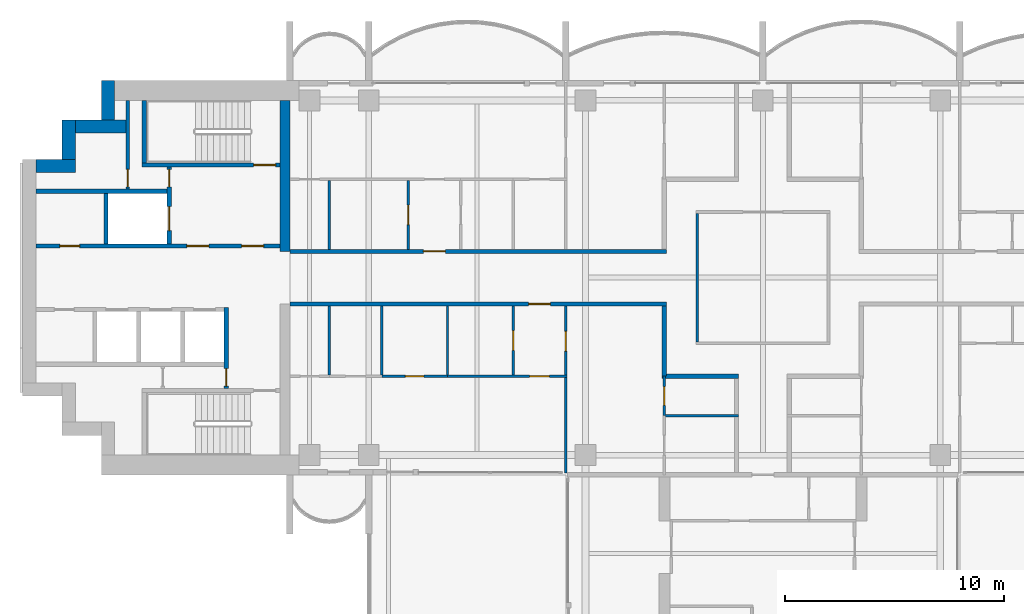
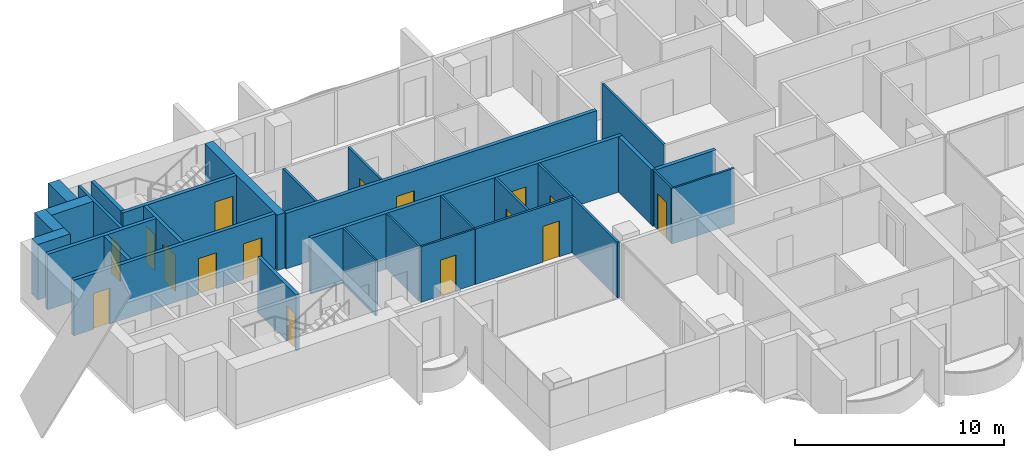
# One storey, part 9 of 17: 29 walls, 16 doors, 16 openings.
"""IFC4 building model written with IfcOpenShell, lengths in metres."""

from ifc_helpers import new_model, si_unit, direction, frame, frame_2d, origin, place, context, subcontext, project, spatial, rectangle, extrude, material, layer, layer_set, type_object, element, fill, save


model = new_model("IFC4")

# Units and contexts
model_context = context("Model", 3, precision=1e-05, world=origin(), true_north=direction((0.0, 1.0)))
body_context = subcontext(model_context, "Body", "Model", "MODEL_VIEW")
ifc_project = project(units=[si_unit("LENGTHUNIT", "METRE"), si_unit("AREAUNIT", "SQUARE_METRE"), si_unit("VOLUMEUNIT", "CUBIC_METRE"), si_unit("PLANEANGLEUNIT", "RADIAN"), si_unit("MASSUNIT", "GRAM", prefix="KILO")], contexts=[model_context])

# Site, building, storey
site_placement = place(None, origin())
site = spatial("IfcSite", under=ifc_project, at=site_placement, CompositionType="ELEMENT")
building_placement = place(site_placement, origin())
building = spatial("IfcBuilding", under=site, at=building_placement, Name="Perihelion Cross Residences", CompositionType="ELEMENT")
storey_placement = place(building_placement, frame((0.0, 0.0, 191.10009765625)))
storey = spatial("IfcBuildingStorey", under=building, at=storey_placement, Name="L47", CompositionType="ELEMENT", Elevation=191.10009765625)

# Wall, opening, door
ifc_material_1 = material(Name="Plasterboard partition")
ifc_layer_1 = layer(ifc_material_1, 0.199951171875)
ifc_layer_set_1 = layer_set([ifc_layer_1], Name="Apartment separation wall 200")
wall_type_1 = type_object("IfcWallType", Name="Apartment separation wall 200", PredefinedType="PARTITIONING", material=ifc_layer_set_1)
wall_1_placement = place(storey_placement, frame((-21.60009765625, 1.199951171875, 0.0), z_axis=(0.0, 0.0, 1.0), x_axis=(1.0, 0.0, 0.0)))
wall_1 = element("IfcWall", 1, at=wall_1_placement, inside=storey, type_object=wall_type_1, Name="Partition L47 W013", PredefinedType="PARTITIONING", context=body_context, shape_type="SweptSolid", body=[
    extrude(rectangle(XDim=17.2001953125, YDim=0.199951171875, at=frame_2d((8.60009765625, 0.0))), origin(), (0.0, 0.0, 1.0), 3.25),
])
opening_1_placement = place(wall_1_placement, frame((6.10009765625, 0.0, 0.0)))
opening_1 = element("IfcOpeningElement", 2, at=opening_1_placement, cuts=wall_1, Name="Opening L47.A40", PredefinedType="OPENING", context=body_context, shape_type="SweptSolid", body=[
    extrude(rectangle(XDim=1.0, YDim=2.10009765625, at=frame_2d((0.5, 1.050048828125))), frame((0.0, 0.10986328125, 0.0), z_axis=(0.0, -1.0, 0.0), x_axis=(1.0, 0.0, 0.0)), (0.0, 0.0, 1.0), 0.219970703125),
])
ifc_material_2 = material(Name="Timber door leaf", Category="wood")
door_type_1 = type_object("IfcDoorType", Name="Flat entrance door 1000 x 2100", OperationType="SINGLE_SWING_LEFT", PredefinedType="DOOR", material=ifc_material_2)
door_1_placement = place(opening_1_placement, origin())
door_1 = element("IfcDoor", 3, at=door_1_placement, inside=storey, type_object=door_type_1, Name="Door L47.A40", OperationType="SINGLE_SWING_RIGHT", OverallHeight=2.10009765625, OverallWidth=1.0, PredefinedType="DOOR", context=body_context, shape_type="SweptSolid", body=[
    extrude(rectangle(XDim=1.0, YDim=2.10009765625, at=frame_2d((0.5, 1.050048828125))), frame((0.0, 0.02490234375, 0.0), z_axis=(0.0, -1.0, 0.0), x_axis=(1.0, 0.0, 0.0)), (0.0, 0.0, 1.0), 0.050048828125),
])
fill(opening_1, door_1)

wall_2_placement = place(storey_placement, frame((-4.39990234375, -1.199951171875, 0.0), z_axis=(0.0, 0.0, 1.0), x_axis=(-1.0, 0.0, 0.0)))
wall_2 = element("IfcWall", 4, at=wall_2_placement, inside=storey, type_object=wall_type_1, Name="Partition L47 W017", PredefinedType="PARTITIONING", context=body_context, shape_type="SweptSolid", body=[
    extrude(rectangle(XDim=17.2001953125, YDim=0.199951171875, at=frame_2d((8.60009765625, 0.0))), origin(), (0.0, 0.0, 1.0), 3.25),
])
opening_2_placement = place(wall_2_placement, frame((5.300048828125, 0.0, 0.0)))
opening_2 = element("IfcOpeningElement", 5, at=opening_2_placement, cuts=wall_2, Name="Opening L47.A41", PredefinedType="OPENING", context=body_context, shape_type="SweptSolid", body=[
    extrude(rectangle(XDim=1.0, YDim=2.10009765625, at=frame_2d((0.5, 1.050048828125))), frame((0.0, 0.10986328125, 0.0), z_axis=(0.0, -1.0, 0.0), x_axis=(1.0, 0.0, 0.0)), (0.0, 0.0, 1.0), 0.219970703125),
])
door_2_placement = place(opening_2_placement, origin())
door_2 = element("IfcDoor", 6, at=door_2_placement, inside=storey, type_object=door_type_1, Name="Door L47.A41", OperationType="SINGLE_SWING_RIGHT", OverallHeight=2.10009765625, OverallWidth=1.0, PredefinedType="DOOR", context=body_context, shape_type="SweptSolid", body=[
    extrude(rectangle(XDim=1.0, YDim=2.10009765625, at=frame_2d((0.5, 1.050048828125))), frame((0.0, 0.02490234375, 0.0), z_axis=(0.0, -1.0, 0.0), x_axis=(1.0, 0.0, 0.0)), (0.0, 0.0, 1.0), 0.050048828125),
])
fill(opening_2, door_2)

# Walls
wall_3_placement = place(storey_placement, frame((-4.5, -4.5, 0.0), z_axis=(0.0, 0.0, 1.0), x_axis=(0.0, 1.0, 0.0)))
element("IfcWall", 7, at=wall_3_placement, inside=storey, type_object=wall_type_1, Name="Partition L47 W018", PredefinedType="PARTITIONING", context=body_context, shape_type="SweptSolid", body=[
    extrude(rectangle(XDim=3.199951171875, YDim=0.199951171875, at=frame_2d((1.60009765625, 0.0))), origin(), (0.0, 0.0, 1.0), 3.25),
])
wall_4_placement = place(storey_placement, frame((-1.10009765625, -4.5, 0.0), z_axis=(0.0, 0.0, 1.0), x_axis=(-1.0, 0.0, 0.0)))
element("IfcWall", 8, at=wall_4_placement, inside=storey, type_object=wall_type_1, Name="Partition L47 W020", PredefinedType="PARTITIONING", context=body_context, shape_type="SweptSolid", body=[
    extrude(rectangle(XDim=3.5, YDim=0.199951171875, at=frame_2d((1.75, 0.0))), origin(), (0.0, 0.0, 1.0), 3.25),
])
ifc_material_3 = material(Name="Concrete C60/75", Category="concrete")
ifc_layer_2 = layer(ifc_material_3, 0.449951171875)
ifc_layer_set_2 = layer_set([ifc_layer_2], Name="Core wall, inner 450")
wall_type_2 = type_object("IfcWallType", Name="Core wall, inner 450", PredefinedType="SHEAR", material=ifc_layer_set_2)
wall_5_placement = place(storey_placement, frame((-21.824951171875, 1.199951171875, 0.0), z_axis=(0.0, 0.0, 1.0), x_axis=(0.0, 1.0, 0.0)))
element("IfcWall", 9, at=wall_5_placement, inside=storey, type_object=wall_type_2, Name="West core core wall, inner", PredefinedType="SHEAR", context=body_context, shape_type="SweptSolid", body=[
    extrude(rectangle(XDim=6.900146484375, YDim=0.449951171875, at=frame_2d((3.4501953125, 0.0))), origin(), (0.0, 0.0, 1.0), 3.25),
])
ifc_material_4 = material(Name="Concrete C60/75", Category="concrete")
ifc_layer_3 = layer(ifc_material_4, 0.60009765625)
ifc_layer_set_3 = layer_set([ifc_layer_3], Name="Core wall, outer 600")
wall_type_3 = type_object("IfcWallType", Name="Core wall, outer 600", PredefinedType="SHEAR", material=ifc_layer_set_3)
for number, where, z_axis, x_axis, name in (
    (10, (-33.199951171875, 5.10009765625, 0.0), (0.0, 0.0, 1.0), (1.0, 0.0, 0.0), "West core core wall, outer"),
    (11, (-31.699951171875, 5.39990234375, 0.0), (0.0, 0.0, 1.0), (0.0, 1.0, 0.0), "West core core wall, outer"),
):
    element("IfcWall", number, at=place(storey_placement, frame(where, z_axis=z_axis, x_axis=x_axis)), inside=storey, type_object=wall_type_3, Name=name, PredefinedType="SHEAR", context=body_context, shape_type="SweptSolid", body=[
        extrude(rectangle(XDim=1.800048828125, YDim=0.60009765625, at=frame_2d((0.89990234375, 0.0))), origin(), (0.0, 0.0, 1.0), 3.25),
    ])
wall_6_placement = place(storey_placement, frame((-31.39990234375, 6.89990234375, 0.0), z_axis=(0.0, 0.0, 1.0), x_axis=(1.0, 0.0, 0.0)))
element("IfcWall", 12, at=wall_6_placement, inside=storey, type_object=wall_type_3, Name="West core core wall, outer", PredefinedType="SHEAR", context=body_context, shape_type="SweptSolid", body=[
    extrude(rectangle(XDim=2.324951171875, YDim=0.60009765625, at=frame_2d((1.16259765625, 0.0))), origin(), (0.0, 0.0, 1.0), 3.25),
])
wall_7_placement = place(storey_placement, frame((-29.89990234375, 7.199951171875, 0.0), z_axis=(0.0, 0.0, 1.0), x_axis=(0.0, 1.0, 0.0)))
element("IfcWall", 13, at=wall_7_placement, inside=storey, type_object=wall_type_3, Name="West core core wall, outer", PredefinedType="SHEAR", context=body_context, shape_type="SweptSolid", body=[
    extrude(rectangle(XDim=1.800048828125, YDim=0.60009765625, at=frame_2d((0.89990234375, 0.0))), origin(), (0.0, 0.0, 1.0), 3.25),
])

# Wall, opening, door
ifc_material_5 = material(Name="Concrete C50/60", Category="concrete")
ifc_layer_4 = layer(ifc_material_5, 0.199951171875)
ifc_layer_set_4 = layer_set([ifc_layer_4], Name="Lobby wall 200")
wall_type_4 = type_object("IfcWallType", Name="Lobby wall 200", PredefinedType="SOLIDWALL", material=ifc_layer_set_4)
wall_8_placement = place(storey_placement, frame((-24.5, -5.050048828125, 0.0), z_axis=(0.0, 0.0, 1.0), x_axis=(0.0, 1.0, 0.0)))
wall_8 = element("IfcWall", 14, at=wall_8_placement, inside=storey, type_object=wall_type_4, Name="West core lobby wall", PredefinedType="SOLIDWALL", context=body_context, shape_type="SweptSolid", body=[
    extrude(rectangle(XDim=3.699951171875, YDim=0.199951171875, at=frame_2d((1.85009765625, 0.0))), origin(), (0.0, 0.0, 1.0), 3.25),
])
opening_3_placement = place(wall_8_placement, frame((0.10009765625, 0.0, 0.0)))
opening_3 = element("IfcOpeningElement", 15, at=opening_3_placement, cuts=wall_8, Name="Opening L47.C22", PredefinedType="OPENING", context=body_context, shape_type="SweptSolid", body=[
    extrude(rectangle(XDim=0.800048828125, YDim=2.10009765625, at=frame_2d((0.39990234375, 1.050048828125))), frame((0.0, 0.10986328125, 0.0), z_axis=(0.0, -1.0, 0.0), x_axis=(1.0, 0.0, 0.0)), (0.0, 0.0, 1.0), 0.219970703125),
])
ifc_material_6 = material(Name="Steel, powder coated", Category="steel")
door_type_2 = type_object("IfcDoorType", Name="Riser door 800", OperationType="SINGLE_SWING_LEFT", PredefinedType="DOOR", material=ifc_material_6)
door_3_placement = place(opening_3_placement, origin())
door_3 = element("IfcDoor", 16, at=door_3_placement, inside=storey, type_object=door_type_2, Name="West core riser door", OperationType="SINGLE_SWING_LEFT", OverallHeight=2.10009765625, OverallWidth=0.800048828125, PredefinedType="DOOR", context=body_context, shape_type="SweptSolid", body=[
    extrude(rectangle(XDim=0.800048828125, YDim=2.10009765625, at=frame_2d((0.39990234375, 1.050048828125))), frame((0.0, 0.02490234375, 0.0), z_axis=(0.0, -1.0, 0.0), x_axis=(1.0, 0.0, 0.0)), (0.0, 0.0, 1.0), 0.050048828125),
])
fill(opening_3, door_3)

# Wall
ifc_material_7 = material(Name="Plasterboard partition")
ifc_layer_5 = layer(ifc_material_7, 0.1201171875)
ifc_layer_set_5 = layer_set([ifc_layer_5], Name="Partition wall 120")
wall_type_5 = type_object("IfcWallType", Name="Partition wall 120", PredefinedType="PARTITIONING", material=ifc_layer_set_5)
wall_9_placement = place(storey_placement, frame((-3.0, 2.93994140625, 0.0), z_axis=(0.0, 0.0, 1.0), x_axis=(0.0, -1.0, 0.0)))
element("IfcWall", 17, at=wall_9_placement, inside=storey, type_object=wall_type_5, Name="Partition L47 W004", PredefinedType="PARTITIONING", context=body_context, shape_type="SweptSolid", body=[
    extrude(rectangle(XDim=5.8798828125, YDim=0.1201171875, at=frame_2d((2.93994140625, 0.0))), origin(), (0.0, 0.0, 1.0), 3.25),
])

# Wall, opening, door
wall_10_placement = place(storey_placement, frame((-16.199951171875, 1.300048828125, 0.0), z_axis=(0.0, 0.0, 1.0), x_axis=(0.0, 1.0, 0.0)))
wall_10 = element("IfcWall", 18, at=wall_10_placement, inside=storey, type_object=wall_type_5, Name="Partition L47 W048", PredefinedType="PARTITIONING", context=body_context, shape_type="SweptSolid", body=[
    extrude(rectangle(XDim=3.139892578125, YDim=0.1201171875, at=frame_2d((1.56982421875, 0.0))), origin(), (0.0, 0.0, 1.0), 3.25),
])
opening_4_placement = place(wall_10_placement, frame((1.1201171875, 0.0, 0.0)))
opening_4 = element("IfcOpeningElement", 19, at=opening_4_placement, cuts=wall_10, Name="Opening L47.A19", PredefinedType="OPENING", context=body_context, shape_type="SweptSolid", body=[
    extrude(rectangle(XDim=0.89990234375, YDim=2.10009765625, at=frame_2d((0.449951171875, 1.050048828125))), frame((0.0, 0.070068359375, 0.0), z_axis=(0.0, -1.0, 0.0), x_axis=(1.0, 0.0, 0.0)), (0.0, 0.0, 1.0), 0.14013671875),
])
ifc_material_8 = material(Name="Timber door leaf", Category="wood")
door_type_3 = type_object("IfcDoorType", Name="Interior room door 900 x 2100", OperationType="SINGLE_SWING_LEFT", PredefinedType="DOOR", material=ifc_material_8)
door_4_placement = place(opening_4_placement, origin())
door_4 = element("IfcDoor", 20, at=door_4_placement, inside=storey, type_object=door_type_3, Name="Door L47.A19", OperationType="SINGLE_SWING_RIGHT", OverallHeight=2.10009765625, OverallWidth=0.89990234375, PredefinedType="DOOR", context=body_context, shape_type="SweptSolid", body=[
    extrude(rectangle(XDim=0.89990234375, YDim=2.10009765625, at=frame_2d((0.449951171875, 1.050048828125))), frame((0.0, 0.02490234375, 0.0), z_axis=(0.0, -1.0, 0.0), x_axis=(1.0, 0.0, 0.0)), (0.0, 0.0, 1.0), 0.050048828125),
])
fill(opening_4, door_4)

# Wall
wall_11_placement = place(storey_placement, frame((-19.800048828125, 1.300048828125, 0.0), z_axis=(0.0, 0.0, 1.0), x_axis=(0.0, 1.0, 0.0)))
element("IfcWall", 21, at=wall_11_placement, inside=storey, type_object=wall_type_5, Name="Partition L47 W050", PredefinedType="PARTITIONING", context=body_context, shape_type="SweptSolid", body=[
    extrude(rectangle(XDim=3.139892578125, YDim=0.1201171875, at=frame_2d((1.56982421875, 0.0))), origin(), (0.0, 0.0, 1.0), 3.25),
])

# Wall, opening, door
wall_12_placement = place(storey_placement, frame((-11.39990234375, -4.43994140625, 0.0), z_axis=(0.0, 0.0, 1.0), x_axis=(0.0, 1.0, 0.0)))
wall_12 = element("IfcWall", 22, at=wall_12_placement, inside=storey, type_object=wall_type_5, Name="Partition L47 W052", PredefinedType="PARTITIONING", context=body_context, shape_type="SweptSolid", body=[
    extrude(rectangle(XDim=3.139892578125, YDim=0.1201171875, at=frame_2d((1.56982421875, 0.0))), origin(), (0.0, 0.0, 1.0), 3.25),
])
opening_5_placement = place(wall_12_placement, frame((1.1201171875, 0.0, 0.0)))
opening_5 = element("IfcOpeningElement", 23, at=opening_5_placement, cuts=wall_12, Name="Opening L47.A25", PredefinedType="OPENING", context=body_context, shape_type="SweptSolid", body=[
    extrude(rectangle(XDim=0.89990234375, YDim=2.10009765625, at=frame_2d((0.449951171875, 1.050048828125))), frame((0.0, 0.070068359375, 0.0), z_axis=(0.0, -1.0, 0.0), x_axis=(1.0, 0.0, 0.0)), (0.0, 0.0, 1.0), 0.14013671875),
])
door_5_placement = place(opening_5_placement, origin())
door_5 = element("IfcDoor", 24, at=door_5_placement, inside=storey, type_object=door_type_3, Name="Door L47.A25", OperationType="SINGLE_SWING_RIGHT", OverallHeight=2.10009765625, OverallWidth=0.89990234375, PredefinedType="DOOR", context=body_context, shape_type="SweptSolid", body=[
    extrude(rectangle(XDim=0.89990234375, YDim=2.10009765625, at=frame_2d((0.449951171875, 1.050048828125))), frame((0.0, 0.02490234375, 0.0), z_axis=(0.0, -1.0, 0.0), x_axis=(1.0, 0.0, 0.0)), (0.0, 0.0, 1.0), 0.050048828125),
])
fill(opening_5, door_5)

wall_13_placement = place(storey_placement, frame((-8.93994140625, -4.5, 0.0), z_axis=(0.0, 0.0, 1.0), x_axis=(-1.0, 0.0, 0.0)))
wall_13 = element("IfcWall", 25, at=wall_13_placement, inside=storey, type_object=wall_type_5, Name="Partition L47 W053", PredefinedType="PARTITIONING", context=body_context, shape_type="SweptSolid", body=[
    extrude(rectangle(XDim=5.4599609375, YDim=0.1201171875, at=frame_2d((2.72998046875, 0.0))), origin(), (0.0, 0.0, 1.0), 3.25),
])
opening_6_placement = place(wall_13_placement, frame((0.81005859375, 0.0, 0.0)))
opening_6 = element("IfcOpeningElement", 26, at=opening_6_placement, cuts=wall_13, Name="Opening L47.A30", PredefinedType="OPENING", context=body_context, shape_type="SweptSolid", body=[
    extrude(rectangle(XDim=0.89990234375, YDim=2.10009765625, at=frame_2d((0.449951171875, 1.050048828125))), frame((0.0, 0.070068359375, 0.0), z_axis=(0.0, -1.0, 0.0), x_axis=(1.0, 0.0, 0.0)), (0.0, 0.0, 1.0), 0.14013671875),
])
door_6_placement = place(opening_6_placement, origin())
door_6 = element("IfcDoor", 27, at=door_6_placement, inside=storey, type_object=door_type_3, Name="Door L47.A30", OperationType="SINGLE_SWING_RIGHT", OverallHeight=2.10009765625, OverallWidth=0.89990234375, PredefinedType="DOOR", context=body_context, shape_type="SweptSolid", body=[
    extrude(rectangle(XDim=0.89990234375, YDim=2.10009765625, at=frame_2d((0.449951171875, 1.050048828125))), frame((0.0, 0.02490234375, 0.0), z_axis=(0.0, -1.0, 0.0), x_axis=(1.0, 0.0, 0.0)), (0.0, 0.0, 1.0), 0.050048828125),
])
fill(opening_6, door_6)

wall_14_placement = place(storey_placement, frame((-9.0, -1.300048828125, 0.0), z_axis=(0.0, 0.0, 1.0), x_axis=(0.0, -1.0, 0.0)))
wall_14 = element("IfcWall", 28, at=wall_14_placement, inside=storey, type_object=wall_type_5, Name="Partition L47 W054", PredefinedType="PARTITIONING", context=body_context, shape_type="SweptSolid", body=[
    extrude(rectangle(XDim=7.619873046875, YDim=0.1201171875, at=frame_2d((3.81005859375, 0.0))), origin(), (0.0, 0.0, 1.0), 3.25),
])
opening_7_placement = place(wall_14_placement, frame((1.14990234375, 0.0, 0.0)))
opening_7 = element("IfcOpeningElement", 29, at=opening_7_placement, cuts=wall_14, Name="Opening L47.A26", PredefinedType="OPENING", context=body_context, shape_type="SweptSolid", body=[
    extrude(rectangle(XDim=0.89990234375, YDim=2.10009765625, at=frame_2d((0.449951171875, 1.050048828125))), frame((0.0, 0.070068359375, 0.0), z_axis=(0.0, -1.0, 0.0), x_axis=(1.0, 0.0, 0.0)), (0.0, 0.0, 1.0), 0.14013671875),
])
door_7_placement = place(opening_7_placement, origin())
door_7 = element("IfcDoor", 30, at=door_7_placement, inside=storey, type_object=door_type_3, Name="Door L47.A26", OperationType="SINGLE_SWING_RIGHT", OverallHeight=2.10009765625, OverallWidth=0.89990234375, PredefinedType="DOOR", context=body_context, shape_type="SweptSolid", body=[
    extrude(rectangle(XDim=0.89990234375, YDim=2.10009765625, at=frame_2d((0.449951171875, 1.050048828125))), frame((0.0, 0.02490234375, 0.0), z_axis=(0.0, -1.0, 0.0), x_axis=(1.0, 0.0, 0.0)), (0.0, 0.0, 1.0), 0.050048828125),
])
fill(opening_7, door_7)

ifc_material_9 = material(Name="Fire-rated board on steel stud", Category="steel")
ifc_layer_6 = layer(ifc_material_9, 0.14990234375)
ifc_layer_set_6 = layer_set([ifc_layer_6], Name="Riser wall 150")
wall_type_6 = type_object("IfcWallType", Name="Riser wall 150", PredefinedType="PARTITIONING", material=ifc_layer_set_6)
wall_15_placement = place(storey_placement, frame((-29.0, 4.050048828125, 0.0), z_axis=(0.0, 0.0, 1.0), x_axis=(0.0, 1.0, 0.0)))
wall_15 = element("IfcWall", 31, at=wall_15_placement, inside=storey, type_object=wall_type_6, Name="West core riser wall", PredefinedType="PARTITIONING", context=body_context, shape_type="SweptSolid", body=[
    extrude(rectangle(XDim=4.050048828125, YDim=0.14990234375, at=frame_2d((2.02490234375, 0.0))), origin(), (0.0, 0.0, 1.0), 3.25),
])
opening_8_placement = place(wall_15_placement, frame((0.10009765625, 0.0, 0.0)))
opening_8 = element("IfcOpeningElement", 32, at=opening_8_placement, cuts=wall_15, Name="Opening L47.C26", PredefinedType="OPENING", context=body_context, shape_type="SweptSolid", body=[
    extrude(rectangle(XDim=0.800048828125, YDim=2.10009765625, at=frame_2d((0.39990234375, 1.050048828125))), frame((0.0, 0.0849609375, 0.0), z_axis=(0.0, -1.0, 0.0), x_axis=(1.0, 0.0, 0.0)), (0.0, 0.0, 1.0), 0.169921875),
])
door_8_placement = place(opening_8_placement, origin())
door_8 = element("IfcDoor", 33, at=door_8_placement, inside=storey, type_object=door_type_2, Name="West core riser door", OperationType="SINGLE_SWING_LEFT", OverallHeight=2.10009765625, OverallWidth=0.800048828125, PredefinedType="DOOR", context=body_context, shape_type="SweptSolid", body=[
    extrude(rectangle(XDim=0.800048828125, YDim=2.10009765625, at=frame_2d((0.39990234375, 1.050048828125))), frame((0.0, 0.02490234375, 0.0), z_axis=(0.0, -1.0, 0.0), x_axis=(1.0, 0.0, 0.0)), (0.0, 0.0, 1.0), 0.050048828125),
])
fill(opening_8, door_8)

# Wall, openings, doors
ifc_material_10 = material(Name="Concrete C50/60", Category="concrete")
ifc_layer_7 = layer(ifc_material_10, 0.199951171875)
ifc_layer_set_7 = layer_set([ifc_layer_7], Name="Shaft wall 200")
wall_type_7 = type_object("IfcWallType", Name="Shaft wall 200", PredefinedType="SOLIDWALL", material=ifc_layer_set_7)
wall_16_placement = place(storey_placement, frame((-33.199951171875, 1.449951171875, 0.0), z_axis=(0.0, 0.0, 1.0), x_axis=(1.0, 0.0, 0.0)))
wall_16 = element("IfcWall", 34, at=wall_16_placement, inside=storey, type_object=wall_type_7, Name="West core shaft wall", PredefinedType="SOLIDWALL", context=body_context, shape_type="SweptSolid", body=[
    extrude(rectangle(XDim=11.14990234375, YDim=0.199951171875, at=frame_2d((5.574951171875, 0.0))), origin(), (0.0, 0.0, 1.0), 3.25),
])
opening_9_placement = place(wall_16_placement, frame((9.39990234375, 0.0, 0.0)))
opening_9 = element("IfcOpeningElement", 35, at=opening_9_placement, cuts=wall_16, Name="Opening L47.C21", PredefinedType="OPENING", context=body_context, shape_type="SweptSolid", body=[
    extrude(rectangle(XDim=1.0, YDim=2.10009765625, at=frame_2d((0.5, 1.050048828125))), frame((0.0, 0.10986328125, 0.0), z_axis=(0.0, -1.0, 0.0), x_axis=(1.0, 0.0, 0.0)), (0.0, 0.0, 1.0), 0.219970703125),
])
opening_10_placement = place(wall_16_placement, frame((6.89990234375, 0.0, 0.0)))
opening_10 = element("IfcOpeningElement", 36, at=opening_10_placement, cuts=wall_16, Name="Opening L47.C23", PredefinedType="OPENING", context=body_context, shape_type="SweptSolid", body=[
    extrude(rectangle(XDim=1.0, YDim=2.10009765625, at=frame_2d((0.5, 1.050048828125))), frame((0.0, 0.10986328125, 0.0), z_axis=(0.0, -1.0, 0.0), x_axis=(1.0, 0.0, 0.0)), (0.0, 0.0, 1.0), 0.219970703125),
])
opening_11_placement = place(wall_16_placement, frame((1.10009765625, 0.0, 0.0)))
opening_11 = element("IfcOpeningElement", 37, at=opening_11_placement, cuts=wall_16, Name="Opening L47.C27", PredefinedType="OPENING", context=body_context, shape_type="SweptSolid", body=[
    extrude(rectangle(XDim=0.89990234375, YDim=2.10009765625, at=frame_2d((0.449951171875, 1.050048828125))), frame((0.0, 0.10986328125, 0.0), z_axis=(0.0, -1.0, 0.0), x_axis=(1.0, 0.0, 0.0)), (0.0, 0.0, 1.0), 0.219970703125),
])
ifc_material_11 = material(Name="Steel, powder coated", Category="steel")
door_type_4 = type_object("IfcDoorType", Name="Lobby door 1000", OperationType="SINGLE_SWING_LEFT", PredefinedType="DOOR", material=ifc_material_11)
door_9_placement = place(opening_9_placement, origin())
door_9 = element("IfcDoor", 38, at=door_9_placement, inside=storey, type_object=door_type_4, Name="West core firefighting lobby door", OperationType="SINGLE_SWING_LEFT", OverallHeight=2.10009765625, OverallWidth=1.0, PredefinedType="DOOR", context=body_context, shape_type="SweptSolid", body=[
    extrude(rectangle(XDim=1.0, YDim=2.10009765625, at=frame_2d((0.5, 1.050048828125))), frame((0.0, 0.02490234375, 0.0), z_axis=(0.0, -1.0, 0.0), x_axis=(1.0, 0.0, 0.0)), (0.0, 0.0, 1.0), 0.050048828125),
])
fill(opening_9, door_9)
door_10_placement = place(opening_10_placement, origin())
door_10 = element("IfcDoor", 39, at=door_10_placement, inside=storey, type_object=door_type_4, Name="West core firefighting lobby door", OperationType="SINGLE_SWING_LEFT", OverallHeight=2.10009765625, OverallWidth=1.0, PredefinedType="DOOR", context=body_context, shape_type="SweptSolid", body=[
    extrude(rectangle(XDim=1.0, YDim=2.10009765625, at=frame_2d((0.5, 1.050048828125))), frame((0.0, 0.02490234375, 0.0), z_axis=(0.0, -1.0, 0.0), x_axis=(1.0, 0.0, 0.0)), (0.0, 0.0, 1.0), 0.050048828125),
])
fill(opening_10, door_10)
ifc_material_12 = material(Name="Steel, powder coated", Category="steel")
door_type_5 = type_object("IfcDoorType", Name="Service room door 900", OperationType="SINGLE_SWING_LEFT", PredefinedType="DOOR", material=ifc_material_12)
door_11_placement = place(opening_11_placement, origin())
door_11 = element("IfcDoor", 40, at=door_11_placement, inside=storey, type_object=door_type_5, Name="West core service room door", OperationType="SINGLE_SWING_LEFT", OverallHeight=2.10009765625, OverallWidth=0.89990234375, PredefinedType="DOOR", context=body_context, shape_type="SweptSolid", body=[
    extrude(rectangle(XDim=0.89990234375, YDim=2.10009765625, at=frame_2d((0.449951171875, 1.050048828125))), frame((0.0, 0.02490234375, 0.0), z_axis=(0.0, -1.0, 0.0), x_axis=(1.0, 0.0, 0.0)), (0.0, 0.0, 1.0), 0.050048828125),
])
fill(opening_11, door_11)

# Wall
wall_17_placement = place(storey_placement, frame((-33.199951171875, 3.949951171875, 0.0), z_axis=(0.0, 0.0, 1.0), x_axis=(1.0, 0.0, 0.0)))
element("IfcWall", 41, at=wall_17_placement, inside=storey, type_object=wall_type_7, Name="West core shaft wall", PredefinedType="SOLIDWALL", context=body_context, shape_type="SweptSolid", body=[
    extrude(rectangle(XDim=6.0, YDim=0.199951171875, at=frame_2d((3.0, 0.0))), origin(), (0.0, 0.0, 1.0), 3.25),
])

# Wall, openings, doors
wall_18_placement = place(storey_placement, frame((-27.10009765625, 1.550048828125, 0.0), z_axis=(0.0, 0.0, 1.0), x_axis=(0.0, 1.0, 0.0)))
wall_18 = element("IfcWall", 42, at=wall_18_placement, inside=storey, type_object=wall_type_7, Name="West core shaft wall", PredefinedType="SOLIDWALL", context=body_context, shape_type="SweptSolid", body=[
    extrude(rectangle(XDim=3.5, YDim=0.199951171875, at=frame_2d((1.75, 0.0))), origin(), (0.0, 0.0, 1.0), 3.25),
])
opening_12_placement = place(wall_18_placement, frame((0.60009765625, 0.0, 0.0)))
opening_12 = element("IfcOpeningElement", 43, at=opening_12_placement, cuts=wall_18, Name="Opening L47.C16", PredefinedType="OPENING", context=body_context, shape_type="SweptSolid", body=[
    extrude(rectangle(XDim=1.10009765625, YDim=2.10009765625, at=frame_2d((0.550048828125, 1.050048828125))), frame((0.0, 0.10986328125, 0.0), z_axis=(0.0, -1.0, 0.0), x_axis=(1.0, 0.0, 0.0)), (0.0, 0.0, 1.0), 0.219970703125),
])
opening_13_placement = place(wall_18_placement, frame((2.60009765625, 0.0, 0.0)))
opening_13 = element("IfcOpeningElement", 44, at=opening_13_placement, cuts=wall_18, Name="Opening L47.C24", PredefinedType="OPENING", context=body_context, shape_type="SweptSolid", body=[
    extrude(rectangle(XDim=0.800048828125, YDim=2.10009765625, at=frame_2d((0.39990234375, 1.050048828125))), frame((0.0, 0.10986328125, 0.0), z_axis=(0.0, -1.0, 0.0), x_axis=(1.0, 0.0, 0.0)), (0.0, 0.0, 1.0), 0.219970703125),
])
ifc_material_13 = material(Name="Stainless steel", Category="steel")
door_type_6 = type_object("IfcDoorType", Name="Landing door, firefighting lift 1100", OperationType="DOUBLE_DOOR_SLIDING", PredefinedType="DOOR", material=ifc_material_13)
door_12_placement = place(opening_12_placement, origin())
door_12 = element("IfcDoor", 45, at=door_12_placement, inside=storey, type_object=door_type_6, Name="Landing door, West core firefighting and service lift", OperationType="DOUBLE_DOOR_SLIDING", OverallHeight=2.10009765625, OverallWidth=1.10009765625, PredefinedType="DOOR", context=body_context, shape_type="SweptSolid", body=[
    extrude(rectangle(XDim=1.10009765625, YDim=2.10009765625, at=frame_2d((0.550048828125, 1.050048828125))), frame((0.0, 0.02490234375, 0.0), z_axis=(0.0, -1.0, 0.0), x_axis=(1.0, 0.0, 0.0)), (0.0, 0.0, 1.0), 0.050048828125),
])
fill(opening_12, door_12)
door_13_placement = place(opening_13_placement, origin())
door_13 = element("IfcDoor", 46, at=door_13_placement, inside=storey, type_object=door_type_2, Name="West core riser door", OperationType="SINGLE_SWING_LEFT", OverallHeight=2.10009765625, OverallWidth=0.800048828125, PredefinedType="DOOR", context=body_context, shape_type="SweptSolid", body=[
    extrude(rectangle(XDim=0.800048828125, YDim=2.10009765625, at=frame_2d((0.39990234375, 1.050048828125))), frame((0.0, 0.02490234375, 0.0), z_axis=(0.0, -1.0, 0.0), x_axis=(1.0, 0.0, 0.0)), (0.0, 0.0, 1.0), 0.050048828125),
])
fill(opening_13, door_13)

# Wall
wall_19_placement = place(storey_placement, frame((-30.0, 1.550048828125, 0.0), z_axis=(0.0, 0.0, 1.0), x_axis=(0.0, 1.0, 0.0)))
element("IfcWall", 47, at=wall_19_placement, inside=storey, type_object=wall_type_7, Name="West core shaft wall", PredefinedType="SOLIDWALL", context=body_context, shape_type="SweptSolid", body=[
    extrude(rectangle(XDim=2.300048828125, YDim=0.199951171875, at=frame_2d((1.14990234375, 0.0))), origin(), (0.0, 0.0, 1.0), 3.25),
])

# Wall, opening, door
ifc_material_14 = material(Name="Concrete C50/60", Category="concrete")
ifc_layer_8 = layer(ifc_material_14, 0.199951171875)
ifc_layer_set_8 = layer_set([ifc_layer_8], Name="Stair wall 200")
wall_type_8 = type_object("IfcWallType", Name="Stair wall 200", PredefinedType="SOLIDWALL", material=ifc_layer_set_8)
wall_20_placement = place(storey_placement, frame((-28.35009765625, 5.14990234375, 0.0), z_axis=(0.0, 0.0, 1.0), x_axis=(1.0, 0.0, 0.0)))
wall_20 = element("IfcWall", 48, at=wall_20_placement, inside=storey, type_object=wall_type_8, Name="West core stair wall", PredefinedType="SOLIDWALL", context=body_context, shape_type="SweptSolid", body=[
    extrude(rectangle(XDim=6.300048828125, YDim=0.199951171875, at=frame_2d((3.14990234375, 0.0))), origin(), (0.0, 0.0, 1.0), 3.25),
])
opening_14_placement = place(wall_20_placement, frame((5.10009765625, 0.0, 0.0)))
opening_14 = element("IfcOpeningElement", 49, at=opening_14_placement, cuts=wall_20, Name="Opening L47.C20", PredefinedType="OPENING", context=body_context, shape_type="SweptSolid", body=[
    extrude(rectangle(XDim=1.0, YDim=2.10009765625, at=frame_2d((0.5, 1.050048828125))), frame((0.0, 0.10986328125, 0.0), z_axis=(0.0, -1.0, 0.0), x_axis=(1.0, 0.0, 0.0)), (0.0, 0.0, 1.0), 0.219970703125),
])
ifc_material_15 = material(Name="Steel, powder coated", Category="steel")
door_type_7 = type_object("IfcDoorType", Name="Stair door 1000", OperationType="SINGLE_SWING_LEFT", PredefinedType="DOOR", material=ifc_material_15)
door_14_placement = place(opening_14_placement, origin())
door_14 = element("IfcDoor", 50, at=door_14_placement, inside=storey, type_object=door_type_7, Name="West core stair door", OperationType="SINGLE_SWING_LEFT", OverallHeight=2.10009765625, OverallWidth=1.0, PredefinedType="DOOR", context=body_context, shape_type="SweptSolid", body=[
    extrude(rectangle(XDim=1.0, YDim=2.10009765625, at=frame_2d((0.5, 1.050048828125))), frame((0.0, 0.02490234375, 0.0), z_axis=(0.0, -1.0, 0.0), x_axis=(1.0, 0.0, 0.0)), (0.0, 0.0, 1.0), 0.050048828125),
])
fill(opening_14, door_14)

# Walls
wall_21_placement = place(storey_placement, frame((-28.25, 5.25, 0.0), z_axis=(0.0, 0.0, 1.0), x_axis=(0.0, 1.0, 0.0)))
element("IfcWall", 51, at=wall_21_placement, inside=storey, type_object=wall_type_8, Name="West core stair wall", PredefinedType="SOLIDWALL", context=body_context, shape_type="SweptSolid", body=[
    extrude(rectangle(XDim=2.85009765625, YDim=0.199951171875, at=frame_2d((1.425048828125, 0.0))), origin(), (0.0, 0.0, 1.0), 3.25),
])
ifc_material_16 = material(Name="Plasterboard partition")
ifc_layer_9 = layer(ifc_material_16, 0.10009765625)
ifc_layer_set_9 = layer_set([ifc_layer_9], Name="Wet room wall 100")
wall_type_9 = type_object("IfcWallType", Name="Wet room wall 100", PredefinedType="PARTITIONING", material=ifc_layer_set_9)
for number, where, z_axis, x_axis, name in (
    (52, (-14.39990234375, -4.43994140625, 0.0), (0.0, 0.0, 1.0), (0.0, 1.0, 0.0), "Partition L47 W055"),
    (53, (-17.39990234375, -4.43994140625, 0.0), (0.0, 0.0, 1.0), (0.0, 1.0, 0.0), "Partition L47 W056"),
):
    element("IfcWall", number, at=place(storey_placement, frame(where, z_axis=z_axis, x_axis=x_axis)), inside=storey, type_object=wall_type_9, Name=name, PredefinedType="PARTITIONING", context=body_context, shape_type="SweptSolid", body=[
        extrude(rectangle(XDim=3.139892578125, YDim=0.10009765625, at=frame_2d((1.56982421875, 0.0))), origin(), (0.0, 0.0, 1.0), 3.25),
    ])

# Wall, opening, door
wall_22_placement = place(storey_placement, frame((-14.39990234375, -4.5, 0.0), z_axis=(0.0, 0.0, 1.0), x_axis=(-1.0, 0.0, 0.0)))
wall_22 = element("IfcWall", 54, at=wall_22_placement, inside=storey, type_object=wall_type_9, Name="Partition L47 W057", PredefinedType="PARTITIONING", context=body_context, shape_type="SweptSolid", body=[
    extrude(rectangle(XDim=3.0, YDim=0.10009765625, at=frame_2d((1.5, 0.0))), origin(), (0.0, 0.0, 1.0), 3.25),
])
opening_15_placement = place(wall_22_placement, frame((1.074951171875, 0.0, 0.0)))
opening_15 = element("IfcOpeningElement", 55, at=opening_15_placement, cuts=wall_22, Name="Opening L47.A24", PredefinedType="OPENING", context=body_context, shape_type="SweptSolid", body=[
    extrude(rectangle(XDim=0.85009765625, YDim=2.10009765625, at=frame_2d((0.425048828125, 1.050048828125))), frame((0.0, 0.06005859375, 0.0), z_axis=(0.0, -1.0, 0.0), x_axis=(1.0, 0.0, 0.0)), (0.0, 0.0, 1.0), 0.1201171875),
])
ifc_material_17 = material(Name="Timber door leaf", Category="wood")
door_type_8 = type_object("IfcDoorType", Name="Interior bathroom door 850 x 2100", OperationType="SINGLE_SWING_LEFT", PredefinedType="DOOR", material=ifc_material_17)
door_15_placement = place(opening_15_placement, origin())
door_15 = element("IfcDoor", 56, at=door_15_placement, inside=storey, type_object=door_type_8, Name="Door L47.A24", OperationType="SINGLE_SWING_LEFT", OverallHeight=2.10009765625, OverallWidth=0.85009765625, PredefinedType="DOOR", context=body_context, shape_type="SweptSolid", body=[
    extrude(rectangle(XDim=0.85009765625, YDim=2.10009765625, at=frame_2d((0.425048828125, 1.050048828125))), frame((0.0, 0.02490234375, 0.0), z_axis=(0.0, -1.0, 0.0), x_axis=(1.0, 0.0, 0.0)), (0.0, 0.0, 1.0), 0.050048828125),
])
fill(opening_15, door_15)

# Wall
wall_23_placement = place(storey_placement, frame((-19.800048828125, -4.43994140625, 0.0), z_axis=(0.0, 0.0, 1.0), x_axis=(0.0, 1.0, 0.0)))
element("IfcWall", 57, at=wall_23_placement, inside=storey, type_object=wall_type_9, Name="Partition L47 W058", PredefinedType="PARTITIONING", context=body_context, shape_type="SweptSolid", body=[
    extrude(rectangle(XDim=3.139892578125, YDim=0.10009765625, at=frame_2d((1.56982421875, 0.0))), origin(), (0.0, 0.0, 1.0), 3.25),
])

# Wall, opening, door
wall_24_placement = place(storey_placement, frame((-4.5, -4.5, 0.0), z_axis=(0.0, 0.0, 1.0), x_axis=(0.0, -1.0, 0.0)))
wall_24 = element("IfcWall", 58, at=wall_24_placement, inside=storey, type_object=wall_type_9, Name="Partition L47 W061", PredefinedType="PARTITIONING", context=body_context, shape_type="SweptSolid", body=[
    extrude(rectangle(XDim=1.800048828125, YDim=0.10009765625, at=frame_2d((0.89990234375, 0.0))), origin(), (0.0, 0.0, 1.0), 3.25),
])
opening_16_placement = place(wall_24_placement, frame((0.47509765625, 0.0, 0.0)))
opening_16 = element("IfcOpeningElement", 59, at=opening_16_placement, cuts=wall_24, Name="Opening L47.A28", PredefinedType="OPENING", context=body_context, shape_type="SweptSolid", body=[
    extrude(rectangle(XDim=0.85009765625, YDim=2.10009765625, at=frame_2d((0.425048828125, 1.050048828125))), frame((0.0, 0.06005859375, 0.0), z_axis=(0.0, -1.0, 0.0), x_axis=(1.0, 0.0, 0.0)), (0.0, 0.0, 1.0), 0.1201171875),
])
door_16_placement = place(opening_16_placement, origin())
door_16 = element("IfcDoor", 60, at=door_16_placement, inside=storey, type_object=door_type_8, Name="Door L47.A28", OperationType="SINGLE_SWING_RIGHT", OverallHeight=2.10009765625, OverallWidth=0.85009765625, PredefinedType="DOOR", context=body_context, shape_type="SweptSolid", body=[
    extrude(rectangle(XDim=0.85009765625, YDim=2.10009765625, at=frame_2d((0.425048828125, 1.050048828125))), frame((0.0, 0.02490234375, 0.0), z_axis=(0.0, -1.0, 0.0), x_axis=(1.0, 0.0, 0.0)), (0.0, 0.0, 1.0), 0.050048828125),
])
fill(opening_16, door_16)

# Wall
wall_25_placement = place(storey_placement, frame((-1.10009765625, -6.300048828125, 0.0), z_axis=(0.0, 0.0, 1.0), x_axis=(-1.0, 0.0, 0.0)))
element("IfcWall", 61, at=wall_25_placement, inside=storey, type_object=wall_type_9, Name="Partition L47 W063", PredefinedType="PARTITIONING", context=body_context, shape_type="SweptSolid", body=[
    extrude(rectangle(XDim=3.4599609375, YDim=0.10009765625, at=frame_2d((1.72998046875, 0.0))), origin(), (0.0, 0.0, 1.0), 3.25),
])

save(model, "model.ifc")
